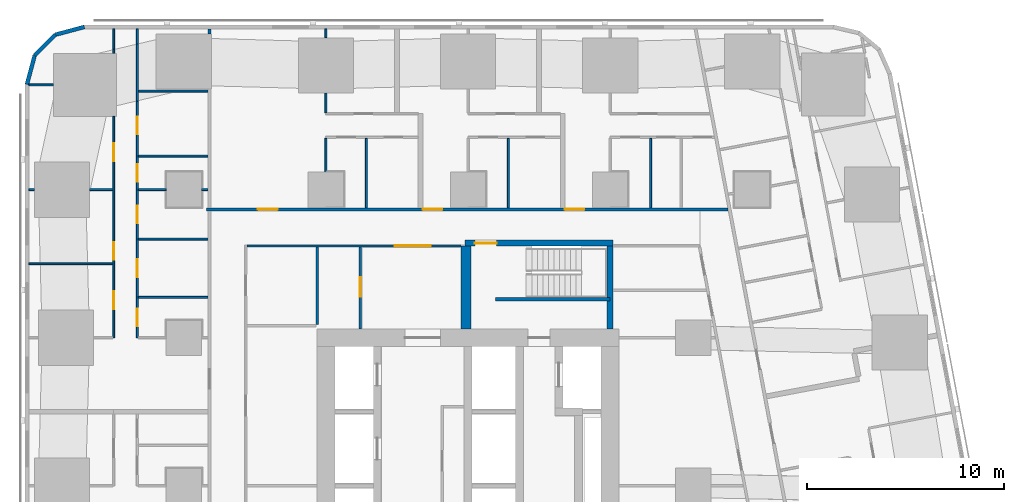
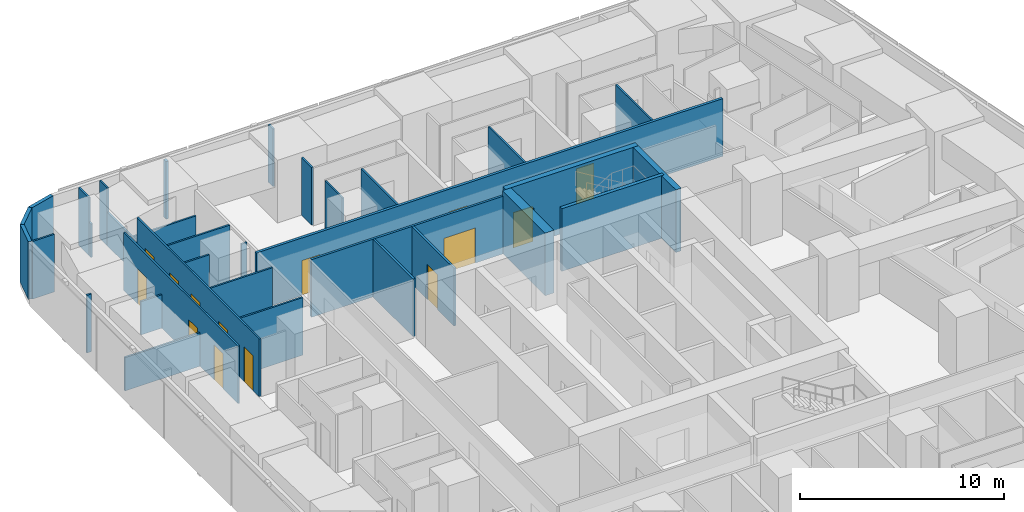
# One storey, part 8 of 15: 34 walls, 14 doors, 14 openings.
"""IFC4 building model written with IfcOpenShell, lengths in metres."""

import ifcopenshell
import ifcopenshell.guid

model = None  # the IFC model being written
_history = None  # IfcOwnerHistory: only IFC2X3 demands one
_inside = {}  # id of a spatial element -> (the spatial element, [elements in it])
_under = {}  # id of a project, library or spatial element -> (it, [spatial elements below it])
_declared = {}  # id of a project -> (the project, [libraries it declares])
_typed = {}  # id of a type object -> (the type object, [elements of that type])
_made_of = {}  # id of a material, layer set ... -> (it, [elements and type objects made of it])


def new_model(schema):
    """Start an empty IFC model of exactly this schema.

    Asked for "IFC4X3", IfcOpenShell would pick the latest addendum, in which some entities
    have other attributes; the version numbers below select the first issue.
    IFC2X3 requires an IfcOwnerHistory on every rooted entity: one is made here for all.
    """
    global model, _history
    if schema == "IFC4X3":
        model = ifcopenshell.file(schema_version=(4, 3, 0, 0))
    else:
        model = ifcopenshell.file(schema=schema)
    _inside.clear()
    _under.clear()
    _declared.clear()
    _typed.clear()
    _made_of.clear()
    _history = None
    if model.schema == "IFC2X3":
        org = make("IfcOrganization", Name="unknown")
        user = make(
            "IfcPersonAndOrganization",
            ThePerson=make("IfcPerson", FamilyName="unknown"),
            TheOrganization=org,
        )
        app = make(
            "IfcApplication",
            ApplicationDeveloper=org,
            Version="unknown",
            ApplicationFullName="unknown",
            ApplicationIdentifier="unknown",
        )
        _history = make(
            "IfcOwnerHistory",
            OwningUser=user,
            OwningApplication=app,
            ChangeAction="ADDED",
            CreationDate=0,
        )
    return model


def make(cls, **values):
    """One entity of the class cls with the attributes given. An attribute that is None is left unset."""
    return model.create_entity(
        cls, **{name: value for name, value in values.items() if value is not None}
    )


def rooted(cls, **values):
    """An entity with a GlobalId (a new one), such as an element, a storey or a relation."""
    return make(cls, GlobalId=ifcopenshell.guid.new(), OwnerHistory=_history, **values)


def si_unit(unit_type, name, prefix=None):
    """IfcSIUnit, for example si_unit("LENGTHUNIT", "METRE", prefix="MILLI")."""
    return make("IfcSIUnit", UnitType=unit_type, Prefix=prefix, Name=name)


def assignment(units):
    """IfcUnitAssignment: the units of a project."""
    return None if units is None else make("IfcUnitAssignment", Units=units)


def point(xyz):
    """IfcCartesianPoint."""
    return None if xyz is None else make("IfcCartesianPoint", Coordinates=xyz)


def direction(xyz):
    """IfcDirection."""
    return None if xyz is None else make("IfcDirection", DirectionRatios=xyz)


def frame(location, z_axis=None, x_axis=None):
    """IfcAxis2Placement3D, a coordinate frame: its origin and axes. An axis left out is left unset."""
    return make(
        "IfcAxis2Placement3D",
        Location=point(location),
        Axis=direction(z_axis),
        RefDirection=direction(x_axis),
    )


def frame_2d(location, x_axis=None):
    """IfcAxis2Placement2D, a coordinate frame in the plane: its origin and x axis."""
    return make(
        "IfcAxis2Placement2D", Location=point(location), RefDirection=direction(x_axis)
    )


def origin():
    """The frame at (0, 0, 0) with its axes left unset."""
    return frame((0.0, 0.0, 0.0))


def place(relative_to, where):
    """IfcLocalPlacement: puts the frame where relative to a parent placement (None: the world)."""
    return make(
        "IfcLocalPlacement", PlacementRelTo=relative_to, RelativePlacement=where
    )


def context(
    kind, dimensions, precision=None, world=None, true_north=None, identifier=None
):
    """IfcGeometricRepresentationContext, for example the 3D "Model" context."""
    return make(
        "IfcGeometricRepresentationContext",
        ContextIdentifier=identifier,
        ContextType=kind,
        CoordinateSpaceDimension=dimensions,
        Precision=precision,
        WorldCoordinateSystem=world,
        TrueNorth=true_north,
    )


def subcontext(parent, identifier, kind, view, scale=None):
    """IfcGeometricRepresentationSubContext, for example "Body" below "Model"."""
    return make(
        "IfcGeometricRepresentationSubContext",
        ContextIdentifier=identifier,
        ContextType=kind,
        ParentContext=parent,
        TargetScale=scale,
        TargetView=view,
    )


def project(units=None, contexts=None):
    """IfcProject with its units and contexts."""
    return rooted(
        "IfcProject",
        Name="project",
        RepresentationContexts=contexts,
        UnitsInContext=assignment(units),
    )


def spatial(cls, under=None, at=None, **own):
    """A site, building, storey or space (cls), placed at a placement, below another one or the project."""
    s = rooted(cls, ObjectPlacement=at, **own)
    if under is not None:
        _under.setdefault(under.id(), (under, []))[1].append(s)
    return s


def profile(cls, at=None, kind="AREA", **sizes):
    """A parametric profile (cls). Its sizes go by their IFC names, for example OverallWidth=200.0."""
    return make(cls, ProfileType=kind, Position=at, **sizes)


def rectangle(**sizes):
    """IfcRectangleProfileDef."""
    return profile("IfcRectangleProfileDef", **sizes)


def extrude(swept, where, along, depth):
    """IfcExtrudedAreaSolid: the profile swept, set in the frame where, extruded along a direction by depth."""
    return make(
        "IfcExtrudedAreaSolid",
        SweptArea=swept,
        Position=where,
        ExtrudedDirection=direction(along),
        Depth=depth,
    )


def shape(context_of_items, identifier, shape_type, items):
    """IfcShapeRepresentation: the items that make up one representation, for example the "Body"."""
    return make(
        "IfcShapeRepresentation",
        ContextOfItems=context_of_items,
        RepresentationIdentifier=identifier,
        RepresentationType=shape_type,
        Items=items,
    )


def material(Name=None, Category=None):
    """IfcMaterial."""
    return make("IfcMaterial", Name=Name, Category=Category)


def layer(
    of_material, thickness, ventilated=None, Name=None, Category=None, Priority=None
):
    """IfcMaterialLayer: one layer of a wall or slab, of a material (None: an air gap)."""
    return make(
        "IfcMaterialLayer",
        Material=of_material,
        LayerThickness=thickness,
        IsVentilated=ventilated,
        Name=Name,
        Category=Category,
        Priority=Priority,
    )


def layer_set(layers, Name=None):
    """IfcMaterialLayerSet."""
    return make("IfcMaterialLayerSet", MaterialLayers=layers, LayerSetName=Name)


def made_of(thing, what):
    """Note that an element or type object is made of a material, layer set ...; save() writes the relation."""
    if what is not None:
        _made_of.setdefault(what.id(), (what, []))[1].append(thing)
    return thing


def type_object(cls, material=None, **own):
    """A type object (cls), such as IfcWallType, which elements share."""
    return made_of(rooted(cls, **own), material)


def element(
    cls,
    number,
    at=None,
    inside=None,
    cuts=None,
    type_object=None,
    material=None,
    context=None,
    identifier="Body",
    shape_type=None,
    held_by="IfcProductDefinitionShape",
    body=None,
    shapes=None,
    **own,
):
    """One element of the class cls, such as IfcWall. Its Tag is "e" and its number.

    at: its placement. inside: the storey or other place that contains it. cuts: it is an
    opening in that element (IfcRelVoidsElement). A single representation is given by context,
    identifier, shape_type and body (its items); several are given by shapes. held_by: the class
    of the entity that holds the representations. save() writes the other relations.
    """
    e = rooted(cls, Tag="e%d" % number, ObjectPlacement=at, **own)
    if body is not None:
        shapes = [shape(context, identifier, shape_type, body)]
    if shapes is not None:
        e.Representation = make(held_by, Representations=shapes)
    if inside is not None:
        _inside.setdefault(inside.id(), (inside, []))[1].append(e)
    if cuts is not None:
        rooted(
            "IfcRelVoidsElement", RelatingBuildingElement=cuts, RelatedOpeningElement=e
        )
    if type_object is not None:
        _typed.setdefault(type_object.id(), (type_object, []))[1].append(e)
    return made_of(e, material)


def fill(opening, filler):
    """IfcRelFillsElement: the door or window that sits in an opening."""
    return rooted(
        "IfcRelFillsElement",
        RelatingOpeningElement=opening,
        RelatedBuildingElement=filler,
    )


def aggregate(whole, parts):
    """IfcRelAggregates: a whole, such as a stair, and the parts it consists of."""
    return rooted("IfcRelAggregates", RelatingObject=whole, RelatedObjects=parts)


def save(model, path):
    """Write the relations noted so far, then the file.

    IfcRelAggregates (storeys below a building ...), IfcRelContainedInSpatialStructure (elements
    in a storey), IfcRelDefinesByType, IfcRelAssociatesMaterial and IfcRelDeclares: one each for
    every whole, place, type object, material and project.
    """
    for whole, parts in _under.values():
        aggregate(whole, parts)
    for where, things in _inside.values():
        rooted(
            "IfcRelContainedInSpatialStructure",
            RelatedElements=things,
            RelatingStructure=where,
        )
    for kind, things in _typed.values():
        rooted("IfcRelDefinesByType", RelatedObjects=things, RelatingType=kind)
    for what, things in _made_of.values():
        rooted("IfcRelAssociatesMaterial", RelatedObjects=things, RelatingMaterial=what)
    for by, libraries in _declared.values():
        rooted("IfcRelDeclares", RelatingContext=by, RelatedDefinitions=libraries)
    model.write(path)


model = new_model("IFC4")

# Units and contexts
model_context = context("Model", 3, precision=1e-05, world=origin(), true_north=direction((0.0, 1.0)))
body_context = subcontext(model_context, "Body", "Model", "MODEL_VIEW")
ifc_project = project(units=[si_unit("LENGTHUNIT", "METRE"), si_unit("AREAUNIT", "SQUARE_METRE"), si_unit("VOLUMEUNIT", "CUBIC_METRE"), si_unit("PLANEANGLEUNIT", "RADIAN"), si_unit("MASSUNIT", "GRAM", prefix="KILO")], contexts=[model_context])

# Site, building, storey
site_placement = place(None, origin())
site = spatial("IfcSite", under=ifc_project, at=site_placement, CompositionType="ELEMENT")
building_placement = place(site_placement, origin())
building = spatial("IfcBuilding", under=site, at=building_placement, Name="Sheger Commons Tower", CompositionType="ELEMENT")
storey_placement = place(building_placement, frame((0.0, 0.0, 68.75)))
storey = spatial("IfcBuildingStorey", under=building, at=storey_placement, Name="L17", CompositionType="ELEMENT", Elevation=68.75)

# Wall
ifc_material_1 = material(Name="Hollow concrete block masonry, skimmed both sides", Category="masonry")
ifc_layer_1 = layer(ifc_material_1, 0.14990234375)
ifc_layer_set_1 = layer_set([ifc_layer_1], Name="CORRIDOR WALL 150")
wall_type_1 = type_object("IfcWallType", Name="CORRIDOR WALL 150", PredefinedType="SOLIDWALL", material=ifc_layer_set_1)
wall_1_placement = place(storey_placement, frame((8.5, 45.40087890625, 0.0), z_axis=(0.0, 0.0, 1.0), x_axis=(0.0, 1.0, 0.0)))
element("IfcWall", 1, at=wall_1_placement, inside=storey, type_object=wall_type_1, Name="Corridor wall L17", PredefinedType="SOLIDWALL", context=body_context, shape_type="SweptSolid", body=[
    extrude(rectangle(XDim=0.2490234375, YDim=0.14990234375, at=frame_2d((0.12451171875, 0.0))), origin(), (0.0, 0.0, 1.0), 3.449951171875),
])

# Wall, openings, doors
wall_2_placement = place(storey_placement, frame((8.35009765625, 36.5, 0.0), z_axis=(0.0, 0.0, 1.0), x_axis=(1.0, 0.0, 0.0)))
wall_2 = element("IfcWall", 2, at=wall_2_placement, inside=storey, type_object=wall_type_1, Name="Corridor wall L17", PredefinedType="SOLIDWALL", context=body_context, shape_type="SweptSolid", body=[
    extrude(rectangle(XDim=26.414794921875, YDim=0.14990234375, at=frame_2d((13.20751953125, 0.0))), origin(), (0.0, 0.0, 1.0), 3.449951171875),
])
opening_1_placement = place(wall_2_placement, frame((2.60009765625, 0.0, 0.0)))
opening_1 = element("IfcOpeningElement", 3, at=opening_1_placement, cuts=wall_2, Name="Opening D1", PredefinedType="OPENING", context=body_context, shape_type="SweptSolid", body=[
    extrude(rectangle(XDim=1.0, YDim=2.10009765625, at=frame_2d((0.5, 1.050048828125))), frame((0.0, 0.0849609375, 0.0), z_axis=(0.0, -1.0, 0.0), x_axis=(1.0, 0.0, 0.0)), (0.0, 0.0, 1.0), 0.169921875),
])
opening_2_placement = place(wall_2_placement, frame((10.948974609375, 0.0, 0.0)))
opening_2 = element("IfcOpeningElement", 4, at=opening_2_placement, cuts=wall_2, Name="Opening D1", PredefinedType="OPENING", context=body_context, shape_type="SweptSolid", body=[
    extrude(rectangle(XDim=1.0, YDim=2.10009765625, at=frame_2d((0.5, 1.050048828125))), frame((0.0, 0.0849609375, 0.0), z_axis=(0.0, -1.0, 0.0), x_axis=(1.0, 0.0, 0.0)), (0.0, 0.0, 1.0), 0.169921875),
])
opening_3_placement = place(wall_2_placement, frame((18.14892578125, 0.0, 0.0)))
opening_3 = element("IfcOpeningElement", 5, at=opening_3_placement, cuts=wall_2, Name="Opening D1", PredefinedType="OPENING", context=body_context, shape_type="SweptSolid", body=[
    extrude(rectangle(XDim=1.0, YDim=2.10009765625, at=frame_2d((0.5, 1.050048828125))), frame((0.0, 0.0849609375, 0.0), z_axis=(0.0, -1.0, 0.0), x_axis=(1.0, 0.0, 0.0)), (0.0, 0.0, 1.0), 0.169921875),
])
ifc_material_2 = material(Name="Steel door set, fire rated", Category="steel")
door_type_1 = type_object("IfcDoorType", Name="FLAT ENTRANCE DOOR 1000x2100", OperationType="NOTDEFINED", PredefinedType="DOOR", material=ifc_material_2)
door_1_placement = place(opening_1_placement, origin())
door_1 = element("IfcDoor", 6, at=door_1_placement, inside=storey, type_object=door_type_1, Name="Flat entrance door", OperationType="SINGLE_SWING_LEFT", OverallHeight=2.10009765625, OverallWidth=1.0, PredefinedType="DOOR", context=body_context, shape_type="SweptSolid", body=[
    extrude(rectangle(XDim=1.0, YDim=2.10009765625, at=frame_2d((0.5, 1.050048828125))), frame((0.0, 0.02490234375, 0.0), z_axis=(0.0, -1.0, 0.0), x_axis=(1.0, 0.0, 0.0)), (0.0, 0.0, 1.0), 0.050048828125),
])
fill(opening_1, door_1)
door_2_placement = place(opening_2_placement, origin())
door_2 = element("IfcDoor", 7, at=door_2_placement, inside=storey, type_object=door_type_1, Name="Flat entrance door", OperationType="SINGLE_SWING_LEFT", OverallHeight=2.10009765625, OverallWidth=1.0, PredefinedType="DOOR", context=body_context, shape_type="SweptSolid", body=[
    extrude(rectangle(XDim=1.0, YDim=2.10009765625, at=frame_2d((0.5, 1.050048828125))), frame((0.0, 0.02490234375, 0.0), z_axis=(0.0, -1.0, 0.0), x_axis=(1.0, 0.0, 0.0)), (0.0, 0.0, 1.0), 0.050048828125),
])
fill(opening_2, door_2)
door_3_placement = place(opening_3_placement, origin())
door_3 = element("IfcDoor", 8, at=door_3_placement, inside=storey, type_object=door_type_1, Name="Flat entrance door", OperationType="SINGLE_SWING_LEFT", OverallHeight=2.10009765625, OverallWidth=1.0, PredefinedType="DOOR", context=body_context, shape_type="SweptSolid", body=[
    extrude(rectangle(XDim=1.0, YDim=2.10009765625, at=frame_2d((0.5, 1.050048828125))), frame((0.0, 0.02490234375, 0.0), z_axis=(0.0, -1.0, 0.0), x_axis=(1.0, 0.0, 0.0)), (0.0, 0.0, 1.0), 0.050048828125),
])
fill(opening_3, door_3)

# Walls
ifc_material_3 = material(Name="Rendered concrete block masonry, dark grey", Category="masonry")
ifc_layer_2 = layer(ifc_material_3, 0.199951171875)
ifc_layer_set_2 = layer_set([ifc_layer_2], Name="FACADE WALL 200")
wall_type_2 = type_object("IfcWallType", Name="FACADE WALL 200", PredefinedType="SOLIDWALL", material=ifc_layer_set_2)
wall_3_placement = place(storey_placement, frame((2.1630859375, 45.75, 0.0), z_axis=(0.0, 0.0, 1.0), x_axis=(-0.965832000415, -0.259168954497, 0.0)))
element("IfcWall", 9, at=wall_3_placement, inside=storey, type_object=wall_type_2, Name="Facade wall L17", PredefinedType="SOLIDWALL", context=body_context, shape_type="SweptSolid", body=[
    extrude(rectangle(XDim=1.512939453125, YDim=0.199951171875, at=frame_2d((0.75634765625, 0.0))), origin(), (0.0, 0.0, 1.0), 3.449951171875),
])
wall_4_placement = place(storey_placement, frame((0.701904296875, 45.35791015625, 0.0), z_axis=(0.0, 0.0, 1.0), x_axis=(-0.707106781187, -0.707106781187, 0.0)))
element("IfcWall", 10, at=wall_4_placement, inside=storey, type_object=wall_type_2, Name="Facade wall L17", PredefinedType="SOLIDWALL", context=body_context, shape_type="SweptSolid", body=[
    extrude(rectangle(XDim=1.498779296875, YDim=0.199951171875, at=frame_2d((0.74951171875, 0.0))), origin(), (0.0, 0.0, 1.0), 3.449951171875),
])
wall_5_placement = place(storey_placement, frame((-0.35791015625, 44.298095703125, 0.0), z_axis=(0.0, 0.0, 1.0), x_axis=(-0.259168954497, -0.965832000415, 0.0)))
element("IfcWall", 11, at=wall_5_placement, inside=storey, type_object=wall_type_2, Name="Facade wall L17", PredefinedType="SOLIDWALL", context=body_context, shape_type="SweptSolid", body=[
    extrude(rectangle(XDim=1.512939453125, YDim=0.199951171875, at=frame_2d((0.75634765625, 0.0))), origin(), (0.0, 0.0, 1.0), 3.449951171875),
])

# Wall, openings, doors
ifc_material_4 = material(Name="Gypsum board on steel studs", Category="steel")
ifc_layer_3 = layer(ifc_material_4, 0.10009765625)
ifc_layer_set_3 = layer_set([ifc_layer_3], Name="PARTITION 100")
wall_type_3 = type_object("IfcWallType", Name="PARTITION 100", PredefinedType="PARTITIONING", material=ifc_layer_set_3)
wall_6_placement = place(storey_placement, frame((3.64990234375, 30.0, 0.0), z_axis=(0.0, 0.0, 1.0), x_axis=(0.0, 1.0, 0.0)))
wall_6 = element("IfcWall", 12, at=wall_6_placement, inside=storey, type_object=wall_type_3, Name="Partition L17", PredefinedType="PARTITIONING", context=body_context, shape_type="SweptSolid", body=[
    extrude(rectangle(XDim=11.212890625, YDim=0.10009765625, at=frame_2d((5.6064453125, 0.0))), origin(), (0.0, 0.0, 1.0), 3.449951171875),
])
opening_4_placement = place(wall_6_placement, frame((1.449951171875, 0.0, 0.0)))
opening_4 = element("IfcOpeningElement", 13, at=opening_4_placement, cuts=wall_6, Name="Opening D2", PredefinedType="OPENING", context=body_context, shape_type="SweptSolid", body=[
    extrude(rectangle(XDim=0.89990234375, YDim=2.10009765625, at=frame_2d((0.449951171875, 1.050048828125))), frame((0.0, 0.06005859375, 0.0), z_axis=(0.0, -1.0, 0.0), x_axis=(1.0, 0.0, 0.0)), (0.0, 0.0, 1.0), 0.1201171875),
])
opening_5_placement = place(wall_6_placement, frame((3.949951171875, 0.0, 0.0)))
opening_5 = element("IfcOpeningElement", 14, at=opening_5_placement, cuts=wall_6, Name="Opening D2", PredefinedType="OPENING", context=body_context, shape_type="SweptSolid", body=[
    extrude(rectangle(XDim=0.89990234375, YDim=2.10009765625, at=frame_2d((0.449951171875, 1.050048828125))), frame((0.0, 0.06005859375, 0.0), z_axis=(0.0, -1.0, 0.0), x_axis=(1.0, 0.0, 0.0)), (0.0, 0.0, 1.0), 0.1201171875),
])
opening_6_placement = place(wall_6_placement, frame((8.949951171875, 0.0, 0.0)))
opening_6 = element("IfcOpeningElement", 15, at=opening_6_placement, cuts=wall_6, Name="Opening D2", PredefinedType="OPENING", context=body_context, shape_type="SweptSolid", body=[
    extrude(rectangle(XDim=0.89990234375, YDim=2.10009765625, at=frame_2d((0.449951171875, 1.050048828125))), frame((0.0, 0.06005859375, 0.0), z_axis=(0.0, -1.0, 0.0), x_axis=(1.0, 0.0, 0.0)), (0.0, 0.0, 1.0), 0.1201171875),
])
ifc_material_5 = material(Name="Timber door set", Category="wood")
door_type_2 = type_object("IfcDoorType", Name="INTERNAL DOOR 900x2100", OperationType="NOTDEFINED", PredefinedType="DOOR", material=ifc_material_5)
door_4_placement = place(opening_4_placement, origin())
door_4 = element("IfcDoor", 16, at=door_4_placement, inside=storey, type_object=door_type_2, Name="Main bedroom door", OperationType="SINGLE_SWING_LEFT", OverallHeight=2.10009765625, OverallWidth=0.89990234375, PredefinedType="DOOR", context=body_context, shape_type="SweptSolid", body=[
    extrude(rectangle(XDim=0.89990234375, YDim=2.10009765625, at=frame_2d((0.449951171875, 1.050048828125))), frame((0.0, 0.02490234375, 0.0), z_axis=(0.0, -1.0, 0.0), x_axis=(1.0, 0.0, 0.0)), (0.0, 0.0, 1.0), 0.050048828125),
])
fill(opening_4, door_4)
door_5_placement = place(opening_5_placement, origin())
door_5 = element("IfcDoor", 17, at=door_5_placement, inside=storey, type_object=door_type_2, Name="Bedroom 2 door", OperationType="SINGLE_SWING_LEFT", OverallHeight=2.10009765625, OverallWidth=0.89990234375, PredefinedType="DOOR", context=body_context, shape_type="SweptSolid", body=[
    extrude(rectangle(XDim=0.89990234375, YDim=2.10009765625, at=frame_2d((0.449951171875, 1.050048828125))), frame((0.0, 0.02490234375, 0.0), z_axis=(0.0, -1.0, 0.0), x_axis=(1.0, 0.0, 0.0)), (0.0, 0.0, 1.0), 0.050048828125),
])
fill(opening_5, door_5)
door_6_placement = place(opening_6_placement, origin())
door_6 = element("IfcDoor", 18, at=door_6_placement, inside=storey, type_object=door_type_2, Name="Bedroom 3 door", OperationType="SINGLE_SWING_RIGHT", OverallHeight=2.10009765625, OverallWidth=0.89990234375, PredefinedType="DOOR", context=body_context, shape_type="SweptSolid", body=[
    extrude(rectangle(XDim=0.89990234375, YDim=2.10009765625, at=frame_2d((0.449951171875, 1.050048828125))), frame((0.0, 0.02490234375, 0.0), z_axis=(0.0, -1.0, 0.0), x_axis=(1.0, 0.0, 0.0)), (0.0, 0.0, 1.0), 0.050048828125),
])
fill(opening_6, door_6)

# Walls
wall_7_placement = place(storey_placement, frame((3.64990234375, 44.4150390625, 0.0), z_axis=(0.0, 0.0, 1.0), x_axis=(0.0, 1.0, 0.0)))
element("IfcWall", 19, at=wall_7_placement, inside=storey, type_object=wall_type_3, Name="Partition L17", PredefinedType="PARTITIONING", context=body_context, shape_type="SweptSolid", body=[
    extrude(rectangle(XDim=0.196044921875, YDim=0.10009765625, at=frame_2d((0.09814453125, 0.0))), origin(), (0.0, 0.0, 1.0), 2.0),
])
wall_8_placement = place(storey_placement, frame((3.64990234375, 44.611083984375, 0.0), z_axis=(0.0, 0.0, 1.0), x_axis=(0.0, 1.0, 0.0)))
element("IfcWall", 20, at=wall_8_placement, inside=storey, type_object=wall_type_3, Name="Partition L17", PredefinedType="PARTITIONING", context=body_context, shape_type="SweptSolid", body=[
    extrude(rectangle(XDim=1.038818359375, YDim=0.10009765625, at=frame_2d((0.51953125, 0.0))), origin(), (0.0, 0.0, 1.0), 3.449951171875),
])

# Wall, openings, doors
wall_9_placement = place(storey_placement, frame((4.85009765625, 30.0, 0.0), z_axis=(0.0, 0.0, 1.0), x_axis=(0.0, 1.0, 0.0)))
wall_9 = element("IfcWall", 21, at=wall_9_placement, inside=storey, type_object=wall_type_3, Name="Partition L17", PredefinedType="PARTITIONING", context=body_context, shape_type="SweptSolid", body=[
    extrude(rectangle(XDim=11.993896484375, YDim=0.10009765625, at=frame_2d((5.9970703125, 0.0))), origin(), (0.0, 0.0, 1.0), 3.449951171875),
])
opening_7_placement = place(wall_9_placement, frame((0.574951171875, 0.0, 0.0)))
opening_7 = element("IfcOpeningElement", 22, at=opening_7_placement, cuts=wall_9, Name="Opening D2", PredefinedType="OPENING", context=body_context, shape_type="SweptSolid", body=[
    extrude(rectangle(XDim=0.89990234375, YDim=2.10009765625, at=frame_2d((0.449951171875, 1.050048828125))), frame((0.0, 0.06005859375, 0.0), z_axis=(0.0, -1.0, 0.0), x_axis=(1.0, 0.0, 0.0)), (0.0, 0.0, 1.0), 0.1201171875),
])
opening_8_placement = place(wall_9_placement, frame((5.799072265625, 0.0, 0.0)))
opening_8 = element("IfcOpeningElement", 23, at=opening_8_placement, cuts=wall_9, Name="Opening D2", PredefinedType="OPENING", context=body_context, shape_type="SweptSolid", body=[
    extrude(rectangle(XDim=0.89990234375, YDim=2.10009765625, at=frame_2d((0.449951171875, 1.050048828125))), frame((0.0, 0.06005859375, 0.0), z_axis=(0.0, -1.0, 0.0), x_axis=(1.0, 0.0, 0.0)), (0.0, 0.0, 1.0), 0.1201171875),
])
opening_9_placement = place(wall_9_placement, frame((7.89990234375, 0.0, 0.0)))
opening_9 = element("IfcOpeningElement", 24, at=opening_9_placement, cuts=wall_9, Name="Opening D2", PredefinedType="OPENING", context=body_context, shape_type="SweptSolid", body=[
    extrude(rectangle(XDim=0.89990234375, YDim=2.10009765625, at=frame_2d((0.449951171875, 1.050048828125))), frame((0.0, 0.06005859375, 0.0), z_axis=(0.0, -1.0, 0.0), x_axis=(1.0, 0.0, 0.0)), (0.0, 0.0, 1.0), 0.1201171875),
])
opening_10_placement = place(wall_9_placement, frame((3.074951171875, 0.0, 0.0)))
opening_10 = element("IfcOpeningElement", 25, at=opening_10_placement, cuts=wall_9, Name="Opening D2", PredefinedType="OPENING", context=body_context, shape_type="SweptSolid", body=[
    extrude(rectangle(XDim=0.89990234375, YDim=2.10009765625, at=frame_2d((0.449951171875, 1.050048828125))), frame((0.0, 0.06005859375, 0.0), z_axis=(0.0, -1.0, 0.0), x_axis=(1.0, 0.0, 0.0)), (0.0, 0.0, 1.0), 0.1201171875),
])
opening_11_placement = place(wall_9_placement, frame((10.300048828125, 0.0, 0.0)))
opening_11 = element("IfcOpeningElement", 26, at=opening_11_placement, cuts=wall_9, Name="Opening D2", PredefinedType="OPENING", context=body_context, shape_type="SweptSolid", body=[
    extrude(rectangle(XDim=0.89990234375, YDim=2.10009765625, at=frame_2d((0.449951171875, 1.050048828125))), frame((0.0, 0.06005859375, 0.0), z_axis=(0.0, -1.0, 0.0), x_axis=(1.0, 0.0, 0.0)), (0.0, 0.0, 1.0), 0.1201171875),
])
door_7_placement = place(opening_7_placement, origin())
door_7 = element("IfcDoor", 27, at=door_7_placement, inside=storey, type_object=door_type_2, Name="Bathroom door", OperationType="SINGLE_SWING_RIGHT", OverallHeight=2.10009765625, OverallWidth=0.89990234375, PredefinedType="DOOR", context=body_context, shape_type="SweptSolid", body=[
    extrude(rectangle(XDim=0.89990234375, YDim=2.10009765625, at=frame_2d((0.449951171875, 1.050048828125))), frame((0.0, 0.02490234375, 0.0), z_axis=(0.0, -1.0, 0.0), x_axis=(1.0, 0.0, 0.0)), (0.0, 0.0, 1.0), 0.050048828125),
])
fill(opening_7, door_7)
door_8_placement = place(opening_8_placement, origin())
door_8 = element("IfcDoor", 28, at=door_8_placement, inside=storey, type_object=door_type_2, Name="Store and laundry door", OperationType="SINGLE_SWING_LEFT", OverallHeight=2.10009765625, OverallWidth=0.89990234375, PredefinedType="DOOR", context=body_context, shape_type="SweptSolid", body=[
    extrude(rectangle(XDim=0.89990234375, YDim=2.10009765625, at=frame_2d((0.449951171875, 1.050048828125))), frame((0.0, 0.02490234375, 0.0), z_axis=(0.0, -1.0, 0.0), x_axis=(1.0, 0.0, 0.0)), (0.0, 0.0, 1.0), 0.050048828125),
])
fill(opening_8, door_8)
door_9_placement = place(opening_9_placement, origin())
door_9 = element("IfcDoor", 29, at=door_9_placement, inside=storey, type_object=door_type_2, Name="Laundry room door", OperationType="SINGLE_SWING_LEFT", OverallHeight=2.10009765625, OverallWidth=0.89990234375, PredefinedType="DOOR", context=body_context, shape_type="SweptSolid", body=[
    extrude(rectangle(XDim=0.89990234375, YDim=2.10009765625, at=frame_2d((0.449951171875, 1.050048828125))), frame((0.0, 0.02490234375, 0.0), z_axis=(0.0, -1.0, 0.0), x_axis=(1.0, 0.0, 0.0)), (0.0, 0.0, 1.0), 0.050048828125),
])
fill(opening_9, door_9)
door_10_placement = place(opening_10_placement, origin())
door_10 = element("IfcDoor", 30, at=door_10_placement, inside=storey, type_object=door_type_2, Name="Store door", OperationType="SINGLE_SWING_RIGHT", OverallHeight=2.10009765625, OverallWidth=0.89990234375, PredefinedType="DOOR", context=body_context, shape_type="SweptSolid", body=[
    extrude(rectangle(XDim=0.89990234375, YDim=2.10009765625, at=frame_2d((0.449951171875, 1.050048828125))), frame((0.0, 0.02490234375, 0.0), z_axis=(0.0, -1.0, 0.0), x_axis=(1.0, 0.0, 0.0)), (0.0, 0.0, 1.0), 0.050048828125),
])
fill(opening_10, door_10)
door_11_placement = place(opening_11_placement, origin())
door_11 = element("IfcDoor", 31, at=door_11_placement, inside=storey, type_object=door_type_2, Name="Store door", OperationType="SINGLE_SWING_LEFT", OverallHeight=2.10009765625, OverallWidth=0.89990234375, PredefinedType="DOOR", context=body_context, shape_type="SweptSolid", body=[
    extrude(rectangle(XDim=0.89990234375, YDim=2.10009765625, at=frame_2d((0.449951171875, 1.050048828125))), frame((0.0, 0.02490234375, 0.0), z_axis=(0.0, -1.0, 0.0), x_axis=(1.0, 0.0, 0.0)), (0.0, 0.0, 1.0), 0.050048828125),
])
fill(opening_11, door_11)

# Walls
wall_10_placement = place(storey_placement, frame((4.85009765625, 41.993896484375, 0.0), z_axis=(0.0, 0.0, 1.0), x_axis=(0.0, 1.0, 0.0)))
element("IfcWall", 32, at=wall_10_placement, inside=storey, type_object=wall_type_3, Name="Partition L17", PredefinedType="PARTITIONING", context=body_context, shape_type="SweptSolid", body=[
    extrude(rectangle(XDim=2.901123046875, YDim=0.10009765625, at=frame_2d((1.45068359375, 0.0))), origin(), (0.0, 0.0, 1.0), 2.0),
])
wall_11_placement = place(storey_placement, frame((4.85009765625, 44.89501953125, 0.0), z_axis=(0.0, 0.0, 1.0), x_axis=(0.0, 1.0, 0.0)))
element("IfcWall", 33, at=wall_11_placement, inside=storey, type_object=wall_type_3, Name="Partition L17", PredefinedType="PARTITIONING", context=body_context, shape_type="SweptSolid", body=[
    extrude(rectangle(XDim=0.7548828125, YDim=0.10009765625, at=frame_2d((0.37744140625, 0.0))), origin(), (0.0, 0.0, 1.0), 3.449951171875),
])
wall_12_placement = place(storey_placement, frame((-0.64990234375, 33.75, 0.0), z_axis=(0.0, 0.0, 1.0), x_axis=(1.0, 0.0, 0.0)))
element("IfcWall", 34, at=wall_12_placement, inside=storey, type_object=wall_type_3, Name="Partition L17", PredefinedType="PARTITIONING", context=body_context, shape_type="SweptSolid", body=[
    extrude(rectangle(XDim=4.25, YDim=0.10009765625, at=frame_2d((2.125, 0.0))), origin(), (0.0, 0.0, 1.0), 2.0),
])
wall_13_placement = place(storey_placement, frame((-0.64990234375, 37.5, 0.0), z_axis=(0.0, 0.0, 1.0), x_axis=(1.0, 0.0, 0.0)))
element("IfcWall", 35, at=wall_13_placement, inside=storey, type_object=wall_type_3, Name="Partition L17", PredefinedType="PARTITIONING", context=body_context, shape_type="SweptSolid", body=[
    extrude(rectangle(XDim=0.27392578125, YDim=0.10009765625, at=frame_2d((0.136962890625, 0.0))), origin(), (0.0, 0.0, 1.0), 3.449951171875),
])
wall_14_placement = place(storey_placement, frame((2.426025390625, 37.5, 0.0), z_axis=(0.0, 0.0, 1.0), x_axis=(1.0, 0.0, 0.0)))
element("IfcWall", 36, at=wall_14_placement, inside=storey, type_object=wall_type_3, Name="Partition L17", PredefinedType="PARTITIONING", context=body_context, shape_type="SweptSolid", body=[
    extrude(rectangle(XDim=1.174072265625, YDim=0.10009765625, at=frame_2d((0.5869140625, 0.0))), origin(), (0.0, 0.0, 1.0), 2.0),
])
wall_15_placement = place(storey_placement, frame((-0.64990234375, 42.81396484375, 0.0), z_axis=(0.0, 0.0, 1.0), x_axis=(1.0, 0.0, 0.0)))
element("IfcWall", 37, at=wall_15_placement, inside=storey, type_object=wall_type_3, Name="Partition L17", PredefinedType="PARTITIONING", context=body_context, shape_type="SweptSolid", body=[
    extrude(rectangle(XDim=1.23486328125, YDim=0.10009765625, at=frame_2d((0.617431640625, 0.0))), origin(), (0.0, 0.0, 1.0), 3.449951171875),
])
wall_16_placement = place(storey_placement, frame((4.89990234375, 34.9990234375, 0.0), z_axis=(0.0, 0.0, 1.0), x_axis=(1.0, 0.0, 0.0)))
element("IfcWall", 38, at=wall_16_placement, inside=storey, type_object=wall_type_3, Name="Partition L17", PredefinedType="PARTITIONING", context=body_context, shape_type="SweptSolid", body=[
    extrude(rectangle(XDim=3.525146484375, YDim=0.10009765625, at=frame_2d((1.7626953125, 0.0))), origin(), (0.0, 0.0, 1.0), 3.449951171875),
])
wall_17_placement = place(storey_placement, frame((4.89990234375, 37.5, 0.0), z_axis=(0.0, 0.0, 1.0), x_axis=(1.0, 0.0, 0.0)))
element("IfcWall", 39, at=wall_17_placement, inside=storey, type_object=wall_type_3, Name="Partition L17", PredefinedType="PARTITIONING", context=body_context, shape_type="SweptSolid", body=[
    extrude(rectangle(XDim=1.399169921875, YDim=0.10009765625, at=frame_2d((0.69970703125, 0.0))), origin(), (0.0, 0.0, 1.0), 3.449951171875),
])
wall_18_placement = place(storey_placement, frame((8.10107421875, 37.5, 0.0), z_axis=(0.0, 0.0, 1.0), x_axis=(1.0, 0.0, 0.0)))
element("IfcWall", 40, at=wall_18_placement, inside=storey, type_object=wall_type_3, Name="Partition L17", PredefinedType="PARTITIONING", context=body_context, shape_type="SweptSolid", body=[
    extrude(rectangle(XDim=0.323974609375, YDim=0.10009765625, at=frame_2d((0.162109375, 0.0))), origin(), (0.0, 0.0, 1.0), 3.449951171875),
])
wall_19_placement = place(storey_placement, frame((4.89990234375, 42.4990234375, 0.0), z_axis=(0.0, 0.0, 1.0), x_axis=(1.0, 0.0, 0.0)))
element("IfcWall", 41, at=wall_19_placement, inside=storey, type_object=wall_type_3, Name="Partition L17", PredefinedType="PARTITIONING", context=body_context, shape_type="SweptSolid", body=[
    extrude(rectangle(XDim=3.525146484375, YDim=0.10009765625, at=frame_2d((1.7626953125, 0.0))), origin(), (0.0, 0.0, 1.0), 2.0),
])
for number, where, z_axis, x_axis, name in (
    (42, (4.89990234375, 32.050048828125, 0.0), (0.0, 0.0, 1.0), (1.0, 0.0, 0.0), "Partition L17"),
    (43, (4.89990234375, 39.199951171875, 0.0), (0.0, 0.0, 1.0), (1.0, 0.0, 0.0), "Partition L17"),
):
    element("IfcWall", number, at=place(storey_placement, frame(where, z_axis=z_axis, x_axis=x_axis)), inside=storey, type_object=wall_type_3, Name=name, PredefinedType="PARTITIONING", context=body_context, shape_type="SweptSolid", body=[
        extrude(rectangle(XDim=3.525146484375, YDim=0.10009765625, at=frame_2d((1.7626953125, 0.0))), origin(), (0.0, 0.0, 1.0), 3.449951171875),
    ])
wall_20_placement = place(storey_placement, frame((14.39990234375, 41.39990234375, 0.0), z_axis=(0.0, 0.0, 1.0), x_axis=(0.0, 1.0, 0.0)))
element("IfcWall", 44, at=wall_20_placement, inside=storey, type_object=wall_type_3, Name="Partition L17", PredefinedType="PARTITIONING", context=body_context, shape_type="SweptSolid", body=[
    extrude(rectangle(XDim=0.9990234375, YDim=0.10009765625, at=frame_2d((0.49951171875, 0.0))), origin(), (0.0, 0.0, 1.0), 3.449951171875),
])
wall_21_placement = place(storey_placement, frame((14.39990234375, 45.200927734375, 0.0), z_axis=(0.0, 0.0, 1.0), x_axis=(0.0, 1.0, 0.0)))
element("IfcWall", 45, at=wall_21_placement, inside=storey, type_object=wall_type_3, Name="Partition L17", PredefinedType="PARTITIONING", context=body_context, shape_type="SweptSolid", body=[
    extrude(rectangle(XDim=0.448974609375, YDim=0.10009765625, at=frame_2d((0.224609375, 0.0))), origin(), (0.0, 0.0, 1.0), 3.449951171875),
])
wall_22_placement = place(storey_placement, frame((14.39990234375, 38.40087890625, 0.0), z_axis=(0.0, 0.0, 1.0), x_axis=(0.0, 1.0, 0.0)))
element("IfcWall", 46, at=wall_22_placement, inside=storey, type_object=wall_type_3, Name="Partition L17", PredefinedType="PARTITIONING", context=body_context, shape_type="SweptSolid", body=[
    extrude(rectangle(XDim=1.69921875, YDim=0.10009765625, at=frame_2d((0.849609375, 0.0))), origin(), (0.0, 0.0, 1.0), 3.449951171875),
])
for number, where, z_axis, x_axis, name in (
    (47, (16.449951171875, 36.574951171875, 0.0), (0.0, 0.0, 1.0), (0.0, 1.0, 0.0), "Partition L17"),
    (48, (23.64990234375, 36.574951171875, 0.0), (0.0, 0.0, 1.0), (0.0, 1.0, 0.0), "Partition L17"),
    (49, (30.85009765625, 36.574951171875, 0.0), (0.0, 0.0, 1.0), (0.0, 1.0, 0.0), "Partition L17"),
):
    element("IfcWall", number, at=place(storey_placement, frame(where, z_axis=z_axis, x_axis=x_axis)), inside=storey, type_object=wall_type_3, Name=name, PredefinedType="PARTITIONING", context=body_context, shape_type="SweptSolid", body=[
        extrude(rectangle(XDim=3.525146484375, YDim=0.10009765625, at=frame_2d((1.7626953125, 0.0))), origin(), (0.0, 0.0, 1.0), 3.449951171875),
    ])
ifc_material_6 = material(Name="Gypsum board on steel studs, two layers each side, fire rated", Category="steel")
ifc_layer_4 = layer(ifc_material_6, 0.125)
ifc_layer_set_4 = layer_set([ifc_layer_4], Name="SERVICE WALL 125")
wall_type_4 = type_object("IfcWallType", Name="SERVICE WALL 125", PredefinedType="PARTITIONING", material=ifc_layer_set_4)
wall_23_placement = place(storey_placement, frame((13.949951171875, 30.6630859375, 0.0), z_axis=(0.0, 0.0, 1.0), x_axis=(0.0, 1.0, 0.0)))
element("IfcWall", 50, at=wall_23_placement, inside=storey, type_object=wall_type_4, Name="Service room wall L17", PredefinedType="PARTITIONING", context=body_context, shape_type="SweptSolid", body=[
    extrude(rectangle(XDim=3.923828125, YDim=0.125, at=frame_2d((1.9619140625, 0.0))), origin(), (0.0, 0.0, 1.0), 3.449951171875),
])

# Wall, opening, door
wall_24_placement = place(storey_placement, frame((10.4130859375, 34.64990234375, 0.0), z_axis=(0.0, 0.0, 1.0), x_axis=(1.0, 0.0, 0.0)))
wall_24 = element("IfcWall", 51, at=wall_24_placement, inside=storey, type_object=wall_type_4, Name="Service room wall L17", PredefinedType="PARTITIONING", context=body_context, shape_type="SweptSolid", body=[
    extrude(rectangle(XDim=10.8369140625, YDim=0.125, at=frame_2d((5.41845703125, 0.0))), origin(), (0.0, 0.0, 1.0), 3.449951171875),
])
opening_12_placement = place(wall_24_placement, frame((7.487060546875, 0.0, 0.0)))
opening_12 = element("IfcOpeningElement", 52, at=opening_12_placement, cuts=wall_24, Name="Opening D6", PredefinedType="OPENING", context=body_context, shape_type="SweptSolid", body=[
    extrude(rectangle(XDim=1.800048828125, YDim=2.10009765625, at=frame_2d((0.89990234375, 1.050048828125))), frame((0.0, 0.072509765625, 0.0), z_axis=(0.0, -1.0, 0.0), x_axis=(1.0, 0.0, 0.0)), (0.0, 0.0, 1.0), 0.14501953125),
])
ifc_material_7 = material(Name="Steel door set, fire rated", Category="steel")
door_type_3 = type_object("IfcDoorType", Name="LOBBY DOUBLE DOOR 1800x2100", OperationType="DOUBLE_DOOR_SINGLE_SWING", PredefinedType="DOOR", material=ifc_material_7)
door_12_placement = place(opening_12_placement, origin())
door_12 = element("IfcDoor", 53, at=door_12_placement, inside=storey, type_object=door_type_3, Name="Lift lobby north door", OperationType="DOUBLE_DOOR_SINGLE_SWING", OverallHeight=2.10009765625, OverallWidth=1.800048828125, PredefinedType="DOOR", context=body_context, shape_type="SweptSolid", body=[
    extrude(rectangle(XDim=1.800048828125, YDim=2.10009765625, at=frame_2d((0.89990234375, 1.050048828125))), frame((0.0, 0.02490234375, 0.0), z_axis=(0.0, -1.0, 0.0), x_axis=(1.0, 0.0, 0.0)), (0.0, 0.0, 1.0), 0.050048828125),
])
fill(opening_12, door_12)

wall_25_placement = place(storey_placement, frame((16.14990234375, 30.449951171875, 0.0), z_axis=(0.0, 0.0, 1.0), x_axis=(0.0, 1.0, 0.0)))
wall_25 = element("IfcWall", 54, at=wall_25_placement, inside=storey, type_object=wall_type_4, Name="Service room wall L17", PredefinedType="PARTITIONING", context=body_context, shape_type="SweptSolid", body=[
    extrude(rectangle(XDim=4.136962890625, YDim=0.125, at=frame_2d((2.068359375, 0.0))), origin(), (0.0, 0.0, 1.0), 3.449951171875),
])
opening_13_placement = place(wall_25_placement, frame((1.625, 0.0, 0.0)))
opening_13 = element("IfcOpeningElement", 55, at=opening_13_placement, cuts=wall_25, Name="Opening D4", PredefinedType="OPENING", context=body_context, shape_type="SweptSolid", body=[
    extrude(rectangle(XDim=1.0, YDim=2.10009765625, at=frame_2d((0.5, 1.050048828125))), frame((0.0, 0.072509765625, 0.0), z_axis=(0.0, -1.0, 0.0), x_axis=(1.0, 0.0, 0.0)), (0.0, 0.0, 1.0), 0.14501953125),
])
ifc_material_8 = material(Name="Steel door set, fire rated", Category="steel")
door_type_4 = type_object("IfcDoorType", Name="SERVICE DOOR 1000x2100", OperationType="NOTDEFINED", PredefinedType="DOOR", material=ifc_material_8)
door_13_placement = place(opening_13_placement, origin())
door_13 = element("IfcDoor", 56, at=door_13_placement, inside=storey, type_object=door_type_4, Name="Telecom room door", OperationType="SINGLE_SWING_RIGHT", OverallHeight=2.10009765625, OverallWidth=1.0, PredefinedType="DOOR", context=body_context, shape_type="SweptSolid", body=[
    extrude(rectangle(XDim=1.0, YDim=2.10009765625, at=frame_2d((0.5, 1.050048828125))), frame((0.0, 0.02490234375, 0.0), z_axis=(0.0, -1.0, 0.0), x_axis=(1.0, 0.0, 0.0)), (0.0, 0.0, 1.0), 0.050048828125),
])
fill(opening_13, door_13)

ifc_material_9 = material(Name="Concrete C50/60", Category="concrete")
ifc_layer_5 = layer(ifc_material_9, 0.300048828125)
ifc_layer_set_5 = layer_set([ifc_layer_5], Name="STAIR CORE WALL 300")
wall_type_5 = type_object("IfcWallType", Name="STAIR CORE WALL 300", PredefinedType="SHEAR", material=ifc_layer_set_5)
wall_26_placement = place(storey_placement, frame((21.449951171875, 34.800048828125, 0.0), z_axis=(0.0, 0.0, 1.0), x_axis=(1.0, 0.0, 0.0)))
wall_26 = element("IfcWall", 57, at=wall_26_placement, inside=storey, type_object=wall_type_5, Name="STW-L17-S2N", PredefinedType="SHEAR", context=body_context, shape_type="SweptSolid", body=[
    extrude(rectangle(XDim=7.5, YDim=0.300048828125, at=frame_2d((3.75, 0.0))), origin(), (0.0, 0.0, 1.0), 3.75),
])
opening_14_placement = place(wall_26_placement, frame((0.5, 0.0, 0.0)))
opening_14 = element("IfcOpeningElement", 58, at=opening_14_placement, cuts=wall_26, Name="Opening D5", PredefinedType="OPENING", context=body_context, shape_type="SweptSolid", body=[
    extrude(rectangle(XDim=1.10009765625, YDim=2.10009765625, at=frame_2d((0.550048828125, 1.050048828125))), frame((0.0, 0.159912109375, 0.0), z_axis=(0.0, -1.0, 0.0), x_axis=(1.0, 0.0, 0.0)), (0.0, 0.0, 1.0), 0.320068359375),
])
ifc_material_10 = material(Name="Steel door set, fire rated", Category="steel")
door_type_5 = type_object("IfcDoorType", Name="STAIR DOOR 1100x2100", OperationType="NOTDEFINED", PredefinedType="DOOR", material=ifc_material_10)
door_14_placement = place(opening_14_placement, origin())
door_14 = element("IfcDoor", 59, at=door_14_placement, inside=storey, type_object=door_type_5, Name="Stair S2 door", OperationType="SINGLE_SWING_RIGHT", OverallHeight=2.10009765625, OverallWidth=1.10009765625, PredefinedType="DOOR", context=body_context, shape_type="SweptSolid", body=[
    extrude(rectangle(XDim=1.10009765625, YDim=2.10009765625, at=frame_2d((0.550048828125, 1.050048828125))), frame((0.0, 0.02490234375, 0.0), z_axis=(0.0, -1.0, 0.0), x_axis=(1.0, 0.0, 0.0)), (0.0, 0.0, 1.0), 0.050048828125),
])
fill(opening_14, door_14)

# Walls
wall_27_placement = place(storey_placement, frame((28.800048828125, 30.449951171875, 0.0), z_axis=(0.0, 0.0, 1.0), x_axis=(0.0, 1.0, 0.0)))
element("IfcWall", 60, at=wall_27_placement, inside=storey, type_object=wall_type_5, Name="STW-L17-S2E", PredefinedType="SHEAR", context=body_context, shape_type="SweptSolid", body=[
    extrude(rectangle(XDim=4.199951171875, YDim=0.300048828125, at=frame_2d((2.10009765625, 0.0))), origin(), (0.0, 0.0, 1.0), 3.75),
])
ifc_material_11 = material(Name="Concrete C50/60", Category="concrete")
ifc_layer_6 = layer(ifc_material_11, 0.5)
ifc_layer_set_6 = layer_set([ifc_layer_6], Name="STAIR CORE WALL 500")
wall_type_6 = type_object("IfcWallType", Name="STAIR CORE WALL 500", PredefinedType="SHEAR", material=ifc_layer_set_6)
wall_28_placement = place(storey_placement, frame((21.5, 30.449951171875, 0.0), z_axis=(0.0, 0.0, 1.0), x_axis=(0.0, 1.0, 0.0)))
element("IfcWall", 61, at=wall_28_placement, inside=storey, type_object=wall_type_6, Name="STW-L17-S2W", PredefinedType="SHEAR", context=body_context, shape_type="SweptSolid", body=[
    extrude(rectangle(XDim=4.199951171875, YDim=0.5, at=frame_2d((2.10009765625, 0.0))), origin(), (0.0, 0.0, 1.0), 3.75),
])
ifc_material_12 = material(Name="Concrete C50/60", Category="concrete")
ifc_layer_7 = layer(ifc_material_12, 0.199951171875)
ifc_layer_set_7 = layer_set([ifc_layer_7], Name="STAIR SPINE WALL 200")
wall_type_7 = type_object("IfcWallType", Name="STAIR SPINE WALL 200", PredefinedType="SHEAR", material=ifc_layer_set_7)
wall_29_placement = place(storey_placement, frame((23.0, 31.949951171875, 0.0), z_axis=(0.0, 0.0, 1.0), x_axis=(1.0, 0.0, 0.0)))
element("IfcWall", 62, at=wall_29_placement, inside=storey, type_object=wall_type_7, Name="Stair spine wall L17", PredefinedType="SHEAR", context=body_context, shape_type="SweptSolid", body=[
    extrude(rectangle(XDim=5.800048828125, YDim=0.199951171875, at=frame_2d((2.89990234375, 0.0))), origin(), (0.0, 0.0, 1.0), 3.75),
])

save(model, "model.ifc")
